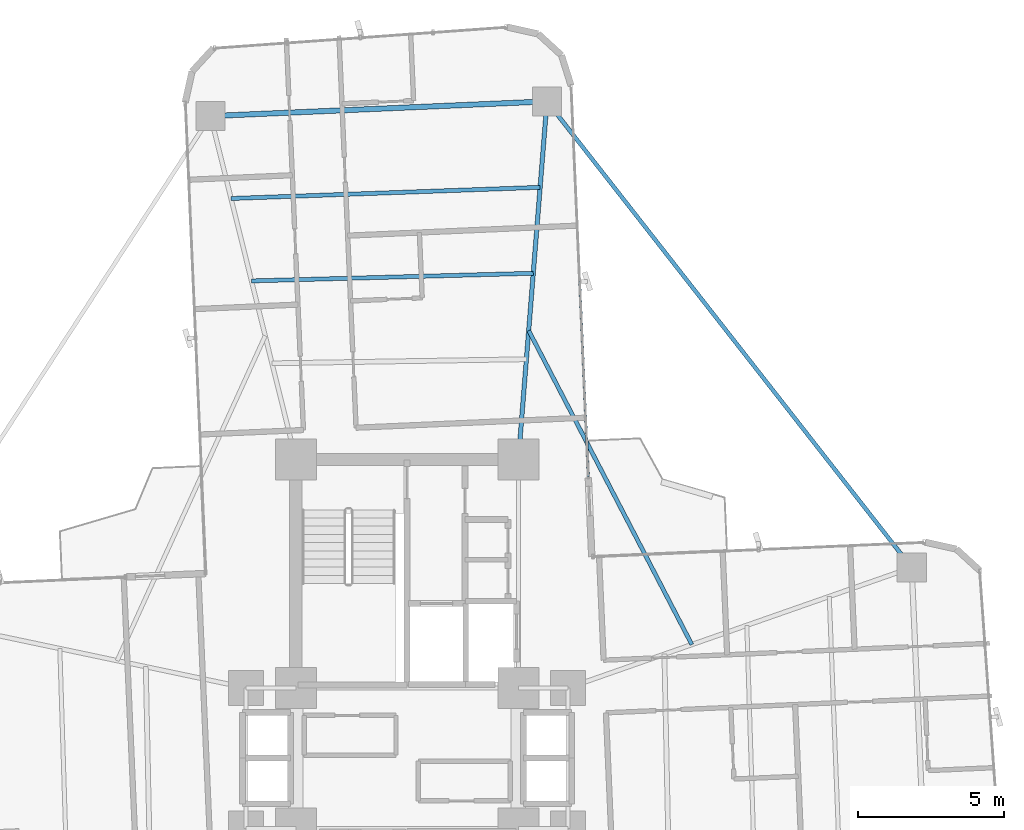
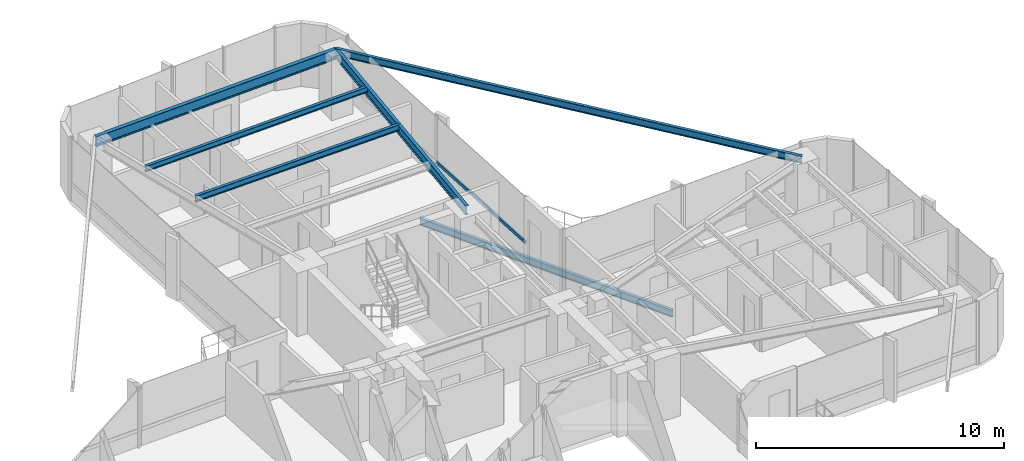
# One storey, part 18 of 26: 6 beams, 1 member, 1 element without a shape of its own.
"""IFC4 building model written with IfcOpenShell, lengths in metres."""

from ifc_helpers import new_model, si_unit, direction, frame, origin, origin_2d, place, context, subcontext, project, spatial, hollow_rectangle, i_section, extrude, source, transform, mapped, material, material_profile, profile_set, type_object, element, aggregate, save


model = new_model("IFC4")

# Units and contexts
model_context = context("Model", 3, precision=1e-05, world=origin(), true_north=direction((0.0, 1.0)))
body_context = subcontext(model_context, "Body", "Model", "MODEL_VIEW")
ifc_project = project(units=[si_unit("LENGTHUNIT", "METRE"), si_unit("AREAUNIT", "SQUARE_METRE"), si_unit("VOLUMEUNIT", "CUBIC_METRE"), si_unit("PLANEANGLEUNIT", "RADIAN"), si_unit("MASSUNIT", "GRAM", prefix="KILO")], contexts=[model_context])

# Site, building, storey
site_placement = place(None, origin())
site = spatial("IfcSite", under=ifc_project, at=site_placement, CompositionType="ELEMENT")
building_placement = place(site_placement, origin())
building = spatial("IfcBuilding", under=site, at=building_placement, Name="Sahyath Konkavel Grand Hotel", CompositionType="ELEMENT")
storey_placement = place(building_placement, frame((0.0, 0.0, 131.550048828125)))
storey = spatial("IfcBuildingStorey", under=building, at=storey_placement, Name="L36", CompositionType="ELEMENT", Elevation=131.550048828125)

# Beams
ifc_material_1 = material(Name="Steel E350", Category="steel")
ifc_material_profile_1 = material_profile(ifc_material_1, i_section(OverallWidth=0.14990234375, OverallDepth=0.449951171875, WebThickness=0.009521484375, FlangeThickness=0.017333984375, FilletRadius=0.014892578125, at=origin_2d()), Name="ISMB 450")
ifc_profile_set_1 = profile_set([ifc_material_profile_1], Name="Steel E350")
beam_type_1 = type_object("IfcBeamType", Name="BM-ISMB450", PredefinedType="BEAM", material=ifc_profile_set_1)
shared_shape_1 = source(origin(), body_context, "Body", "SweptSolid", [
    extrude(i_section(OverallWidth=0.14990234375, OverallDepth=0.449951171875, WebThickness=0.009521484375, FlangeThickness=0.017333984375, FilletRadius=0.014892578125, at=origin_2d()), origin(), (0.0, 0.0, 1.0), 12.2685546875),
])
beam_1_placement = place(storey_placement, frame((3.800048828125, 10.199951171875, 2.885009765625), z_axis=(0.079558563357, 0.996830193662, 0.0), x_axis=(-0.996830193662, 0.079558563357, 0.0)))
element("IfcBeam", 1, at=beam_1_placement, inside=storey, type_object=beam_type_1, Name="L36 Cruciform Radial Girder NA", PredefinedType="BEAM", context=body_context, shape_type="MappedRepresentation", body=[
    mapped(shared_shape_1, transform((0.0, 0.0, 0.0), scale=1.0)),
])
ifc_material_profile_2 = material_profile(ifc_material_1, i_section(OverallWidth=0.179931640625, OverallDepth=0.5, WebThickness=0.01025390625, FlangeThickness=0.01708984375, FilletRadius=0.01708984375, at=origin_2d()), Name="ISMB 500")
ifc_profile_set_2 = profile_set([ifc_material_profile_2], Name="Steel E350")
beam_type_2 = type_object("IfcBeamType", Name="BM-ISMB500", PredefinedType="BEAM", material=ifc_profile_set_2)
shared_shape_2 = source(origin(), body_context, "Body", "SweptSolid", [
    extrude(i_section(OverallWidth=0.179931640625, OverallDepth=0.5, WebThickness=0.01025390625, FlangeThickness=0.01708984375, FilletRadius=0.01708984375, at=origin_2d()), origin(), (0.0, 0.0, 1.0), 11.5),
])
beam_2_placement = place(storey_placement, frame((4.776123046875, 22.4296875, 2.85986328125), z_axis=(-0.99904788879, -0.043627008892, 0.0), x_axis=(0.043627008892, -0.99904788879, 0.0)))
element("IfcBeam", 2, at=beam_2_placement, inside=storey, type_object=beam_type_2, Name="L36 Wing Tip Edge Beam N", PredefinedType="BEAM", context=body_context, shape_type="MappedRepresentation", body=[
    mapped(shared_shape_2, transform((0.0, 0.0, 0.0), scale=1.0)),
])
ifc_material_profile_3 = material_profile(ifc_material_1, i_section(OverallWidth=0.139892578125, OverallDepth=0.35009765625, WebThickness=0.008056640625, FlangeThickness=0.01416015625, FilletRadius=0.013916015625, at=origin_2d()), Name="ISMB 350")
ifc_profile_set_3 = profile_set([ifc_material_profile_3], Name="Steel E350")
beam_type_3 = type_object("IfcBeamType", Name="BM-ISMB350", PredefinedType="BEAM", material=ifc_profile_set_3)
shared_shape_3 = source(origin(), body_context, "Body", "SweptSolid", [
    extrude(i_section(OverallWidth=0.139892578125, OverallDepth=0.35009765625, WebThickness=0.008056640625, FlangeThickness=0.01416015625, FilletRadius=0.013916015625, at=origin_2d()), origin(), (0.0, 0.0, 1.0), 20.215576171875),
])
beam_3_placement = place(storey_placement, frame((17.232421875, 6.5078125, 2.93505859375), z_axis=(-0.616176369687, 0.787608203004, 0.0), x_axis=(-0.787608203004, -0.616176369687, 0.0)))
element("IfcBeam", 3, at=beam_3_placement, inside=storey, type_object=beam_type_3, Name="L36 Re-Entrant Tie Beam NE", PredefinedType="BEAM", context=body_context, shape_type="MappedRepresentation", body=[
    mapped(shared_shape_3, transform((0.0, 0.0, 0.0), scale=1.0)),
])
ifc_material_profile_4 = material_profile(ifc_material_1, i_section(OverallWidth=0.139892578125, OverallDepth=0.300048828125, WebThickness=0.0078125, FlangeThickness=0.01318359375, FilletRadius=0.013916015625, at=origin_2d()), Name="ISMB 300")
ifc_profile_set_4 = profile_set([ifc_material_profile_4], Name="Steel E350")
beam_type_4 = type_object("IfcBeamType", Name="BM-ISMB300", PredefinedType="BEAM", material=ifc_profile_set_4)
shared_shape_4 = source(origin(), body_context, "Body", "SweptSolid", [
    extrude(i_section(OverallWidth=0.139892578125, OverallDepth=0.300048828125, WebThickness=0.0078125, FlangeThickness=0.01318359375, FilletRadius=0.013916015625, at=origin_2d()), origin(), (0.0, 0.0, 1.0), 9.625732421875),
])
beam_4_placement = place(storey_placement, frame((4.3076171875, 16.559326171875, 2.9599609375), z_axis=(-0.999633060528, -0.027087714933, 0.0), x_axis=(0.027087714933, -0.999633060528, 0.0)))
element("IfcBeam", 4, at=beam_4_placement, inside=storey, type_object=beam_type_4, Name="L36 Secondary Floor Beam N-2", PredefinedType="BEAM", context=body_context, shape_type="MappedRepresentation", body=[
    mapped(shared_shape_4, transform((0.0, 0.0, 0.0), scale=1.0)),
])
ifc_material_profile_5 = material_profile(ifc_material_1, i_section(OverallWidth=0.139892578125, OverallDepth=0.27490234375, WebThickness=0.00634765625, FlangeThickness=0.0087890625, FilletRadius=0.012939453125, at=origin_2d()), Name="ISLB 275")
ifc_profile_set_5 = profile_set([ifc_material_profile_5], Name="Steel E350")
beam_type_5 = type_object("IfcBeamType", Name="BM-ISLB275", PredefinedType="BEAM", material=ifc_profile_set_5)
shared_shape_5 = source(origin(), body_context, "Body", "SweptSolid", [
    extrude(i_section(OverallWidth=0.139892578125, OverallDepth=0.27490234375, WebThickness=0.00634765625, FlangeThickness=0.0087890625, FilletRadius=0.012939453125, at=origin_2d()), origin(), (0.0, 0.0, 1.0), 10.562744140625),
])
beam_5_placement = place(storey_placement, frame((4.5419921875, 19.49462890625, 2.972412109375), z_axis=(-0.999348077295, -0.036102914095, 0.0), x_axis=(0.036102914095, -0.999348077295, 0.0)))
element("IfcBeam", 5, at=beam_5_placement, inside=storey, type_object=beam_type_5, Name="L36 Secondary Floor Beam N-3", PredefinedType="BEAM", context=body_context, shape_type="MappedRepresentation", body=[
    mapped(shared_shape_5, transform((0.0, 0.0, 0.0), scale=1.0)),
])

# Curtain wall, member
ifc_material_2 = material(Name="Anodised Bronze Aluminium & Low-E Glazing", Category="aluminium")
curtain_wall_type = type_object("IfcCurtainWallType", Name="CW-ZONE2", PredefinedType="NOTDEFINED", material=ifc_material_2)
curtain_wall_placement = place(storey_placement, origin())
curtain_wall = element("IfcCurtainWall", 6, at=curtain_wall_placement, inside=storey, type_object=curtain_wall_type, Name="L36 Unitised Curtain Wall F8", PredefinedType="NOTDEFINED")
ifc_material_3 = material(Name="Anodised Bronze Aluminium", Category="aluminium")
ifc_material_profile_6 = material_profile(ifc_material_3, hollow_rectangle(XDim=0.080078125, YDim=0.159912109375, WallThickness=0.006103515625, at=origin_2d()), Name="RHS 160x80x6")
ifc_profile_set_6 = profile_set([ifc_material_profile_6], Name="Anodised Bronze Aluminium")
member_type = type_object("IfcMemberType", Name="CW-TRN-160", PredefinedType="USERDEFINED", material=ifc_profile_set_6)
shared_shape_6 = source(origin(), body_context, "Body", "SweptSolid", [
    extrude(hollow_rectangle(XDim=0.080078125, YDim=0.159912109375, WallThickness=0.006103515625, at=origin_2d()), origin(), (0.0, 0.0, 1.0), 6.66015625),
])
member_placement = place(storey_placement, frame((6.186279296875, 9.618896484375, 0.849853515625), z_axis=(-0.043621753165, 0.999048118286, 0.0), x_axis=(-0.999048118286, -0.043621753165, 0.0)))
member = element("IfcMember", 7, at=member_placement, type_object=member_type, Name="L36 Curtain Wall Transom F8-0-spandrel", ObjectType="TRANSOM", PredefinedType="USERDEFINED", context=body_context, shape_type="MappedRepresentation", body=[
    mapped(shared_shape_6, transform((0.0, 0.0, 0.0), scale=1.0)),
])
aggregate(curtain_wall, [member])

# Beam
ifc_material_profile_7 = material_profile(ifc_material_1, i_section(OverallWidth=0.139892578125, OverallDepth=0.35009765625, WebThickness=0.008056640625, FlangeThickness=0.01416015625, FilletRadius=0.013916015625, at=origin_2d()), Name="ISMB 350")
ifc_profile_set_7 = profile_set([ifc_material_profile_7], Name="Steel E350")
beam_type_6 = type_object("IfcBeamType", Name="BM-BALC-CANT", PredefinedType="BEAM", material=ifc_profile_set_7)
shared_shape_7 = source(origin(), body_context, "Body", "SweptSolid", [
    extrude(i_section(OverallWidth=0.139892578125, OverallDepth=0.35009765625, WebThickness=0.008056640625, FlangeThickness=0.01416015625, FilletRadius=0.013916015625, at=origin_2d()), origin(), (0.0, 0.0, 1.0), 12.085205078125),
])
beam_6_placement = place(storey_placement, frame((9.7236328125, 3.87890625, -0.4150390625), z_axis=(-0.461082384626, 0.887357331962, 0.0), x_axis=(-0.887357331962, -0.461082384626, 0.0)))
element("IfcBeam", 8, at=beam_6_placement, inside=storey, type_object=beam_type_6, Name="L36 Balcony Cantilever Support Beam NE", PredefinedType="BEAM", context=body_context, shape_type="MappedRepresentation", body=[
    mapped(shared_shape_7, transform((0.0, 0.0, 0.0), scale=1.0)),
])

save(model, "model.ifc")
